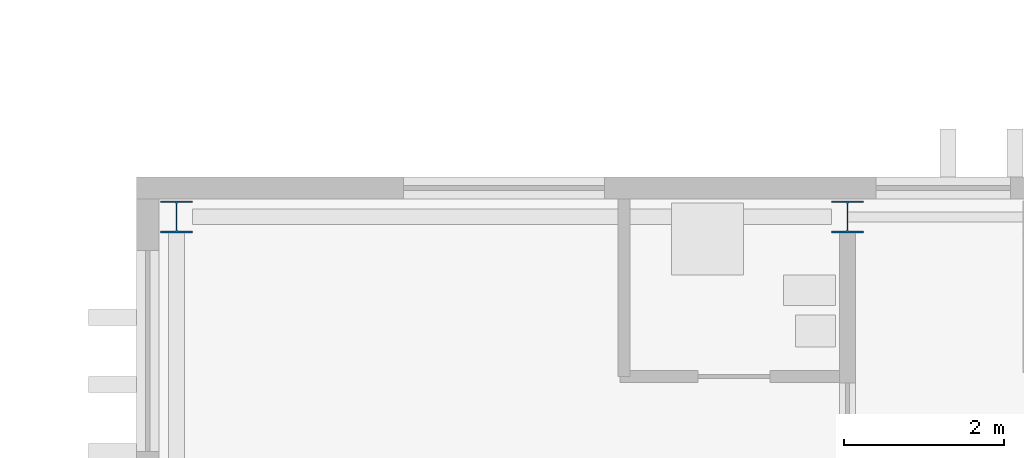
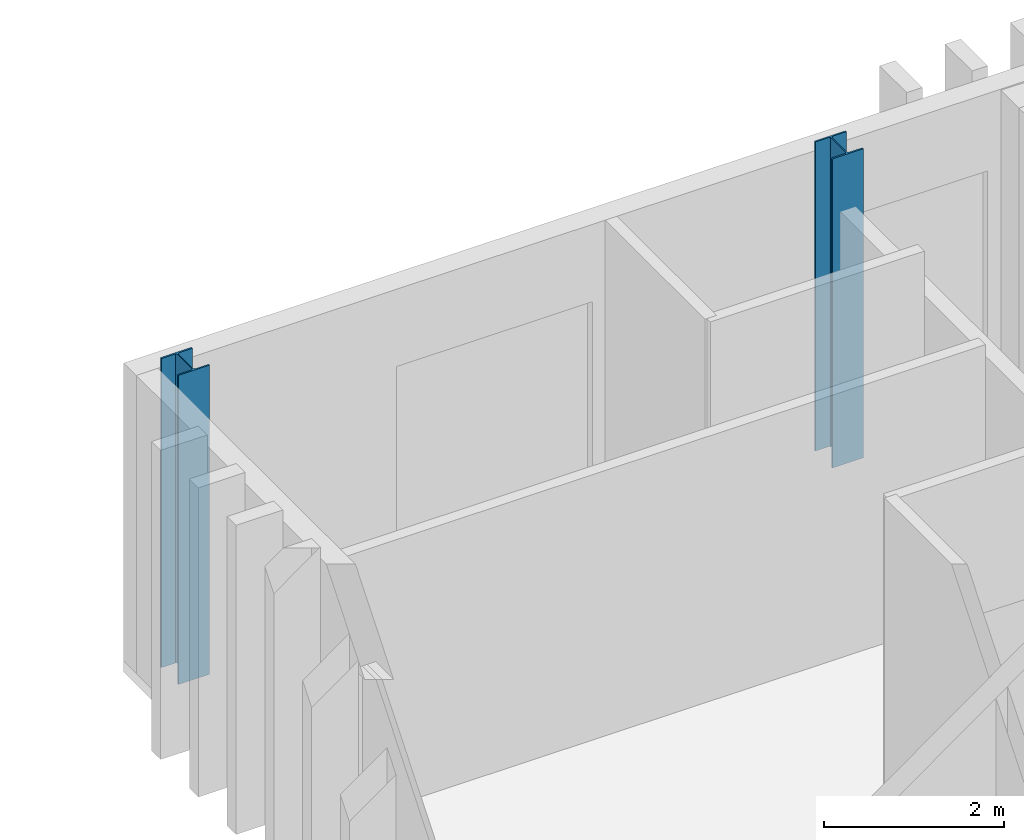
# One storey, part 6 of 17: 2 columns.
"""IFC4 building model written with IfcOpenShell, lengths in metres."""

from ifc_helpers import new_model, si_unit, direction, frame, origin, origin_2d, place, context, subcontext, project, spatial, i_section, extrude, material, material_profile, profile_set, type_object, element, save


model = new_model("IFC4")

# Units and contexts
model_context = context("Model", 3, precision=1e-05, world=origin(), true_north=direction((0.0, 1.0)))
body_context = subcontext(model_context, "Body", "Model", "MODEL_VIEW")
ifc_project = project(units=[si_unit("LENGTHUNIT", "METRE"), si_unit("AREAUNIT", "SQUARE_METRE"), si_unit("VOLUMEUNIT", "CUBIC_METRE"), si_unit("PLANEANGLEUNIT", "RADIAN"), si_unit("MASSUNIT", "GRAM", prefix="KILO")], contexts=[model_context])

# Site, building, storey
site_placement = place(None, origin())
site = spatial("IfcSite", under=ifc_project, at=site_placement, CompositionType="ELEMENT")
building_placement = place(site_placement, origin())
building = spatial("IfcBuilding", under=site, at=building_placement, Name="Cresset Court Congress Hotel", CompositionType="ELEMENT")
storey_placement = place(building_placement, frame((0.0, 0.0, 31.199951171875)))
storey = spatial("IfcBuildingStorey", under=building, at=storey_placement, Name="L07", CompositionType="ELEMENT", Elevation=31.199951171875)

# Columns
ifc_material = material(Name="Structural steel Q355B", Category="steel")
ifc_material_profile = material_profile(ifc_material, i_section(OverallWidth=0.39990234375, OverallDepth=0.39990234375, WebThickness=0.012939453125, FlangeThickness=0.02099609375, FilletRadius=0.02197265625, at=origin_2d()), Name="HW400x400x13x21")
ifc_profile_set = profile_set([ifc_material_profile], Name="Structural steel Q355B")
column_type = type_object("IfcColumnType", Name="Steel column HW400x400x13x21", PredefinedType="COLUMN", material=ifc_profile_set)
for number, where, z_axis, x_axis, name in (
    (1, (157.199951171875, 67.199951171875, 0.0), (0.0, 0.0, 1.0), (1.0, 0.0, 0.0), "Column L07 9-20"),
    (2, (165.60009765625, 67.199951171875, 0.0), (0.0, 0.0, 1.0), (1.0, 0.0, 0.0), "Column L07 9-21"),
):
    element("IfcColumn", number, at=place(storey_placement, frame(where, z_axis=z_axis, x_axis=x_axis)), inside=storey, type_object=column_type, Name=name, PredefinedType="COLUMN", context=body_context, shape_type="SweptSolid", body=[
        extrude(i_section(OverallWidth=0.39990234375, OverallDepth=0.39990234375, WebThickness=0.012939453125, FlangeThickness=0.02099609375, FilletRadius=0.02197265625, at=origin_2d()), origin(), (0.0, 0.0, 1.0), 4.199951171875),
    ])

save(model, "model.ifc")
